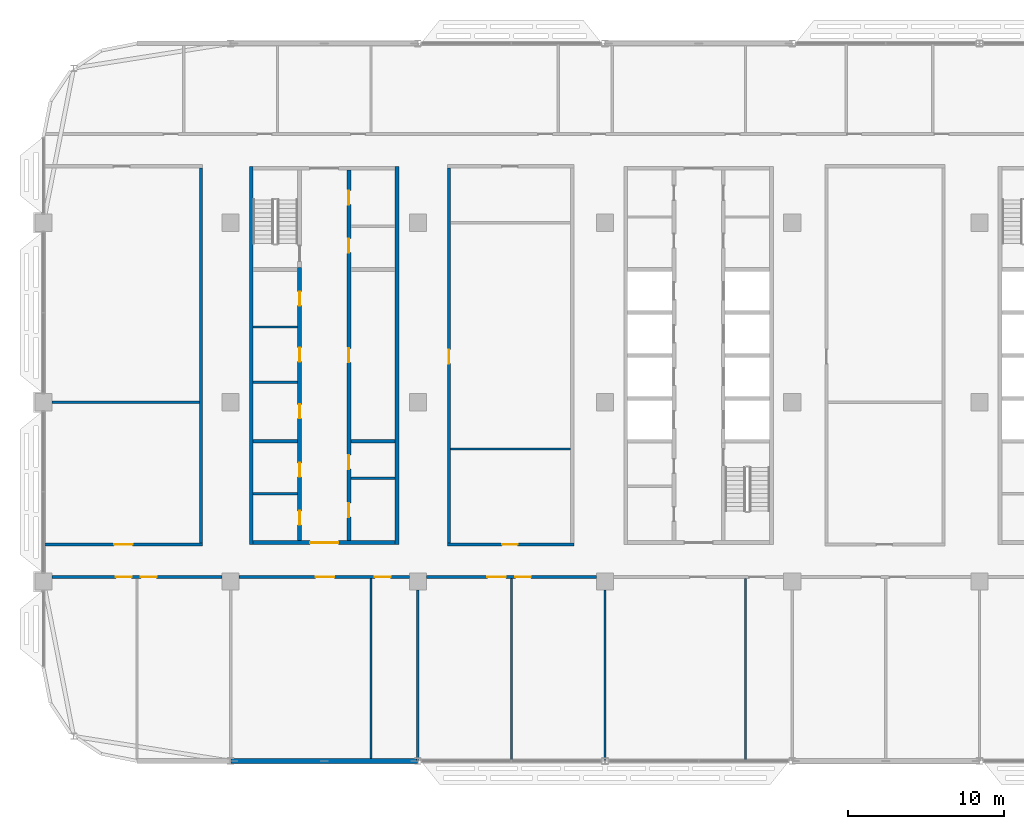
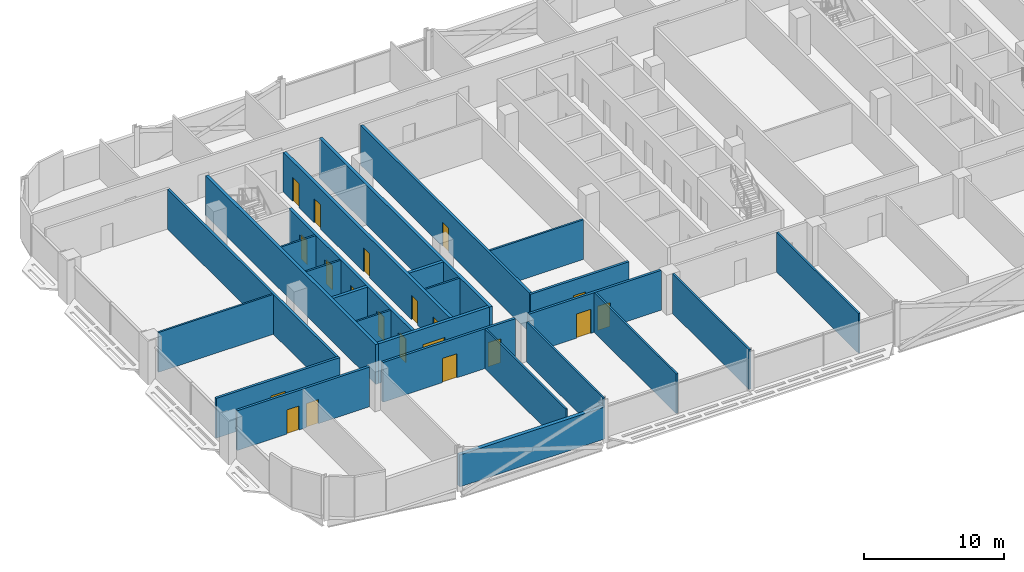
# One storey, part 13 of 29: 26 walls, 20 doors, 20 openings.
"""IFC4 building model written with IfcOpenShell, lengths in metres."""

import ifcopenshell
import ifcopenshell.guid

model = None  # the IFC model being written
_history = None  # IfcOwnerHistory: only IFC2X3 demands one
_inside = {}  # id of a spatial element -> (the spatial element, [elements in it])
_under = {}  # id of a project, library or spatial element -> (it, [spatial elements below it])
_declared = {}  # id of a project -> (the project, [libraries it declares])
_typed = {}  # id of a type object -> (the type object, [elements of that type])
_made_of = {}  # id of a material, layer set ... -> (it, [elements and type objects made of it])


def new_model(schema):
    """Start an empty IFC model of exactly this schema.

    Asked for "IFC4X3", IfcOpenShell would pick the latest addendum, in which some entities
    have other attributes; the version numbers below select the first issue.
    IFC2X3 requires an IfcOwnerHistory on every rooted entity: one is made here for all.
    """
    global model, _history
    if schema == "IFC4X3":
        model = ifcopenshell.file(schema_version=(4, 3, 0, 0))
    else:
        model = ifcopenshell.file(schema=schema)
    _inside.clear()
    _under.clear()
    _declared.clear()
    _typed.clear()
    _made_of.clear()
    _history = None
    if model.schema == "IFC2X3":
        org = make("IfcOrganization", Name="unknown")
        user = make(
            "IfcPersonAndOrganization",
            ThePerson=make("IfcPerson", FamilyName="unknown"),
            TheOrganization=org,
        )
        app = make(
            "IfcApplication",
            ApplicationDeveloper=org,
            Version="unknown",
            ApplicationFullName="unknown",
            ApplicationIdentifier="unknown",
        )
        _history = make(
            "IfcOwnerHistory",
            OwningUser=user,
            OwningApplication=app,
            ChangeAction="ADDED",
            CreationDate=0,
        )
    return model


def make(cls, **values):
    """One entity of the class cls with the attributes given. An attribute that is None is left unset."""
    return model.create_entity(
        cls, **{name: value for name, value in values.items() if value is not None}
    )


def rooted(cls, **values):
    """An entity with a GlobalId (a new one), such as an element, a storey or a relation."""
    return make(cls, GlobalId=ifcopenshell.guid.new(), OwnerHistory=_history, **values)


def si_unit(unit_type, name, prefix=None):
    """IfcSIUnit, for example si_unit("LENGTHUNIT", "METRE", prefix="MILLI")."""
    return make("IfcSIUnit", UnitType=unit_type, Prefix=prefix, Name=name)


def assignment(units):
    """IfcUnitAssignment: the units of a project."""
    return None if units is None else make("IfcUnitAssignment", Units=units)


def point(xyz):
    """IfcCartesianPoint."""
    return None if xyz is None else make("IfcCartesianPoint", Coordinates=xyz)


def direction(xyz):
    """IfcDirection."""
    return None if xyz is None else make("IfcDirection", DirectionRatios=xyz)


def frame(location, z_axis=None, x_axis=None):
    """IfcAxis2Placement3D, a coordinate frame: its origin and axes. An axis left out is left unset."""
    return make(
        "IfcAxis2Placement3D",
        Location=point(location),
        Axis=direction(z_axis),
        RefDirection=direction(x_axis),
    )


def frame_2d(location, x_axis=None):
    """IfcAxis2Placement2D, a coordinate frame in the plane: its origin and x axis."""
    return make(
        "IfcAxis2Placement2D", Location=point(location), RefDirection=direction(x_axis)
    )


def origin():
    """The frame at (0, 0, 0) with its axes left unset."""
    return frame((0.0, 0.0, 0.0))


def place(relative_to, where):
    """IfcLocalPlacement: puts the frame where relative to a parent placement (None: the world)."""
    return make(
        "IfcLocalPlacement", PlacementRelTo=relative_to, RelativePlacement=where
    )


def context(
    kind, dimensions, precision=None, world=None, true_north=None, identifier=None
):
    """IfcGeometricRepresentationContext, for example the 3D "Model" context."""
    return make(
        "IfcGeometricRepresentationContext",
        ContextIdentifier=identifier,
        ContextType=kind,
        CoordinateSpaceDimension=dimensions,
        Precision=precision,
        WorldCoordinateSystem=world,
        TrueNorth=true_north,
    )


def subcontext(parent, identifier, kind, view, scale=None):
    """IfcGeometricRepresentationSubContext, for example "Body" below "Model"."""
    return make(
        "IfcGeometricRepresentationSubContext",
        ContextIdentifier=identifier,
        ContextType=kind,
        ParentContext=parent,
        TargetScale=scale,
        TargetView=view,
    )


def project(units=None, contexts=None):
    """IfcProject with its units and contexts."""
    return rooted(
        "IfcProject",
        Name="project",
        RepresentationContexts=contexts,
        UnitsInContext=assignment(units),
    )


def spatial(cls, under=None, at=None, **own):
    """A site, building, storey or space (cls), placed at a placement, below another one or the project."""
    s = rooted(cls, ObjectPlacement=at, **own)
    if under is not None:
        _under.setdefault(under.id(), (under, []))[1].append(s)
    return s


def profile(cls, at=None, kind="AREA", **sizes):
    """A parametric profile (cls). Its sizes go by their IFC names, for example OverallWidth=200.0."""
    return make(cls, ProfileType=kind, Position=at, **sizes)


def rectangle(**sizes):
    """IfcRectangleProfileDef."""
    return profile("IfcRectangleProfileDef", **sizes)


def extrude(swept, where, along, depth):
    """IfcExtrudedAreaSolid: the profile swept, set in the frame where, extruded along a direction by depth."""
    return make(
        "IfcExtrudedAreaSolid",
        SweptArea=swept,
        Position=where,
        ExtrudedDirection=direction(along),
        Depth=depth,
    )


def shape(context_of_items, identifier, shape_type, items):
    """IfcShapeRepresentation: the items that make up one representation, for example the "Body"."""
    return make(
        "IfcShapeRepresentation",
        ContextOfItems=context_of_items,
        RepresentationIdentifier=identifier,
        RepresentationType=shape_type,
        Items=items,
    )


def material(Name=None, Category=None):
    """IfcMaterial."""
    return make("IfcMaterial", Name=Name, Category=Category)


def layer(
    of_material, thickness, ventilated=None, Name=None, Category=None, Priority=None
):
    """IfcMaterialLayer: one layer of a wall or slab, of a material (None: an air gap)."""
    return make(
        "IfcMaterialLayer",
        Material=of_material,
        LayerThickness=thickness,
        IsVentilated=ventilated,
        Name=Name,
        Category=Category,
        Priority=Priority,
    )


def layer_set(layers, Name=None):
    """IfcMaterialLayerSet."""
    return make("IfcMaterialLayerSet", MaterialLayers=layers, LayerSetName=Name)


def made_of(thing, what):
    """Note that an element or type object is made of a material, layer set ...; save() writes the relation."""
    if what is not None:
        _made_of.setdefault(what.id(), (what, []))[1].append(thing)
    return thing


def type_object(cls, material=None, **own):
    """A type object (cls), such as IfcWallType, which elements share."""
    return made_of(rooted(cls, **own), material)


def element(
    cls,
    number,
    at=None,
    inside=None,
    cuts=None,
    type_object=None,
    material=None,
    context=None,
    identifier="Body",
    shape_type=None,
    held_by="IfcProductDefinitionShape",
    body=None,
    shapes=None,
    **own,
):
    """One element of the class cls, such as IfcWall. Its Tag is "e" and its number.

    at: its placement. inside: the storey or other place that contains it. cuts: it is an
    opening in that element (IfcRelVoidsElement). A single representation is given by context,
    identifier, shape_type and body (its items); several are given by shapes. held_by: the class
    of the entity that holds the representations. save() writes the other relations.
    """
    e = rooted(cls, Tag="e%d" % number, ObjectPlacement=at, **own)
    if body is not None:
        shapes = [shape(context, identifier, shape_type, body)]
    if shapes is not None:
        e.Representation = make(held_by, Representations=shapes)
    if inside is not None:
        _inside.setdefault(inside.id(), (inside, []))[1].append(e)
    if cuts is not None:
        rooted(
            "IfcRelVoidsElement", RelatingBuildingElement=cuts, RelatedOpeningElement=e
        )
    if type_object is not None:
        _typed.setdefault(type_object.id(), (type_object, []))[1].append(e)
    return made_of(e, material)


def fill(opening, filler):
    """IfcRelFillsElement: the door or window that sits in an opening."""
    return rooted(
        "IfcRelFillsElement",
        RelatingOpeningElement=opening,
        RelatedBuildingElement=filler,
    )


def aggregate(whole, parts):
    """IfcRelAggregates: a whole, such as a stair, and the parts it consists of."""
    return rooted("IfcRelAggregates", RelatingObject=whole, RelatedObjects=parts)


def save(model, path):
    """Write the relations noted so far, then the file.

    IfcRelAggregates (storeys below a building ...), IfcRelContainedInSpatialStructure (elements
    in a storey), IfcRelDefinesByType, IfcRelAssociatesMaterial and IfcRelDeclares: one each for
    every whole, place, type object, material and project.
    """
    for whole, parts in _under.values():
        aggregate(whole, parts)
    for where, things in _inside.values():
        rooted(
            "IfcRelContainedInSpatialStructure",
            RelatedElements=things,
            RelatingStructure=where,
        )
    for kind, things in _typed.values():
        rooted("IfcRelDefinesByType", RelatedObjects=things, RelatingType=kind)
    for what, things in _made_of.values():
        rooted("IfcRelAssociatesMaterial", RelatedObjects=things, RelatingMaterial=what)
    for by, libraries in _declared.values():
        rooted("IfcRelDeclares", RelatingContext=by, RelatedDefinitions=libraries)
    model.write(path)


model = new_model("IFC4")

# Units and contexts
model_context = context("Model", 3, precision=1e-05, world=origin(), true_north=direction((0.0, 1.0)))
body_context = subcontext(model_context, "Body", "Model", "MODEL_VIEW")
ifc_project = project(units=[si_unit("LENGTHUNIT", "METRE"), si_unit("AREAUNIT", "SQUARE_METRE"), si_unit("VOLUMEUNIT", "CUBIC_METRE"), si_unit("PLANEANGLEUNIT", "RADIAN"), si_unit("MASSUNIT", "GRAM", prefix="KILO")], contexts=[model_context])

# Site, building, storey
site_placement = place(None, origin())
site = spatial("IfcSite", under=ifc_project, at=site_placement, CompositionType="ELEMENT")
building_placement = place(site_placement, origin())
building = spatial("IfcBuilding", under=site, at=building_placement, Name="Mahtab Terrace Research Tower", CompositionType="ELEMENT")
storey_placement = place(building_placement, frame((0.0, 0.0, 197.699951171875)))
storey = spatial("IfcBuildingStorey", under=building, at=storey_placement, Name="L47", CompositionType="ELEMENT", Elevation=197.699951171875)

# Walls
ifc_material_1 = material(Name="Gypsum board partition")
ifc_layer_1 = layer(ifc_material_1, 0.14990234375)
ifc_layer_set_1 = layer_set([ifc_layer_1], Name="Core partition 150")
wall_type_1 = type_object("IfcWallType", Name="Core partition 150", PredefinedType="PARTITIONING", material=ifc_layer_set_1)
for number, where, z_axis, x_axis, name in (
    (1, (-28.550048828125, 1.280029296875, 0.0), (0.0, 0.0, 1.0), (1.0, 0.0, 0.0), "Core wall A pWL-172"),
    (2, (-28.550048828125, 4.827392578125, 0.0), (0.0, 0.0, 1.0), (1.0, 0.0, 0.0), "Core wall A pWL183"),
    (3, (-28.550048828125, -5.875, 0.0), (0.0, 0.0, 1.0), (1.0, 0.0, 0.0), "Core wall A pWS-888"),
    (4, (-22.300048828125, -4.875, 0.0), (0.0, 0.0, 1.0), (1.0, 0.0, 0.0), "Core wall A pES-788"),
):
    element("IfcWall", number, at=place(storey_placement, frame(where, z_axis=z_axis, x_axis=x_axis)), inside=storey, type_object=wall_type_1, Name=name, PredefinedType="PARTITIONING", context=body_context, shape_type="SweptSolid", body=[
        extrude(rectangle(XDim=2.85009765625, YDim=0.14990234375, at=frame_2d((1.425048828125, 0.0))), origin(), (0.0, 0.0, 1.0), 3.4599609375),
    ])
ifc_material_2 = material(Name="Concrete C70/85", Category="concrete")
ifc_layer_2 = layer(ifc_material_2, 0.25)
ifc_layer_set_2 = layer_set([ifc_layer_2], Name="Core wall 250")
wall_type_2 = type_object("IfcWallType", Name="Core wall 250", PredefinedType="SOLIDWALL", material=ifc_layer_set_2)
for number, where, z_axis, x_axis, name in (
    (5, (-28.675048828125, 15.125, 0.0), (0.0, 0.0, 1.0), (0.0, -1.0, 0.0), "Core wall A outerW"),
    (6, (-19.324951171875, -9.125, 0.0), (0.0, 0.0, 1.0), (0.0, 1.0, 0.0), "Core wall A outerE"),
):
    element("IfcWall", number, at=place(storey_placement, frame(where, z_axis=z_axis, x_axis=x_axis)), inside=storey, type_object=wall_type_2, Name=name, PredefinedType="SOLIDWALL", context=body_context, shape_type="SweptSolid", body=[
        extrude(rectangle(XDim=24.25, YDim=0.25, at=frame_2d((12.125, 0.0))), origin(), (0.0, 0.0, 1.0), 3.4599609375),
    ])

# Wall, opening, door
wall_1_placement = place(storey_placement, frame((-19.449951171875, -9.0, 0.0), z_axis=(0.0, 0.0, 1.0), x_axis=(-1.0, 0.0, 0.0)))
wall_1 = element("IfcWall", 7, at=wall_1_placement, inside=storey, type_object=wall_type_2, Name="Core wall A endS", PredefinedType="SOLIDWALL", context=body_context, shape_type="SweptSolid", body=[
    extrude(rectangle(XDim=9.10009765625, YDim=0.25, at=frame_2d((4.550048828125, 0.0))), origin(), (0.0, 0.0, 1.0), 3.4599609375),
])
opening_1_placement = place(wall_1_placement, frame((3.64990234375, 0.0, 0.0)))
opening_1 = element("IfcOpeningElement", 8, at=opening_1_placement, cuts=wall_1, Name="Opening A-S1", PredefinedType="OPENING", context=body_context, shape_type="SweptSolid", body=[
    extrude(rectangle(XDim=1.800048828125, YDim=2.10009765625, at=frame_2d((0.89990234375, 1.050048828125))), frame((0.0, 0.135009765625, 0.0), z_axis=(0.0, -1.0, 0.0), x_axis=(1.0, 0.0, 0.0)), (0.0, 0.0, 1.0), 0.27001953125),
])
ifc_material_3 = material(Name="Steel fire door", Category="steel")
door_type_1 = type_object("IfcDoorType", Name="Lobby double door 1800x2100 1 HR", OperationType="DOUBLE_DOOR_SINGLE_SWING", PredefinedType="DOOR", material=ifc_material_3)
door_1_placement = place(opening_1_placement, origin())
door_1 = element("IfcDoor", 9, at=door_1_placement, inside=storey, type_object=door_type_1, Name="Core entrance door A S", OperationType="DOUBLE_DOOR_SINGLE_SWING", OverallHeight=2.10009765625, OverallWidth=1.800048828125, PredefinedType="DOOR", context=body_context, shape_type="SweptSolid", body=[
    extrude(rectangle(XDim=1.800048828125, YDim=2.10009765625, at=frame_2d((0.89990234375, 1.050048828125))), frame((0.0, 0.02490234375, 0.0), z_axis=(0.0, -1.0, 0.0), x_axis=(1.0, 0.0, 0.0)), (0.0, 0.0, 1.0), 0.050048828125),
])
fill(opening_1, door_1)

# Wall, openings, doors
wall_2_placement = place(storey_placement, frame((-25.574951171875, -8.875, 0.0), z_axis=(0.0, 0.0, 1.0), x_axis=(0.0, 1.0, 0.0)))
wall_2 = element("IfcWall", 10, at=wall_2_placement, inside=storey, type_object=wall_type_2, Name="Core wall A innerWSL", PredefinedType="SOLIDWALL", context=body_context, shape_type="SweptSolid", body=[
    extrude(rectangle(XDim=17.5, YDim=0.25, at=frame_2d((8.75, 0.0))), origin(), (0.0, 0.0, 1.0), 3.4599609375),
])
opening_2_placement = place(wall_2_placement, frame((7.840087890625, 0.0, 0.0)))
opening_2 = element("IfcOpeningElement", 11, at=opening_2_placement, cuts=wall_2, Name="Opening A-R1", PredefinedType="OPENING", context=body_context, shape_type="SweptSolid", body=[
    extrude(rectangle(XDim=0.89990234375, YDim=2.10009765625, at=frame_2d((0.449951171875, 1.050048828125))), frame((0.0, 0.135009765625, 0.0), z_axis=(0.0, -1.0, 0.0), x_axis=(1.0, 0.0, 0.0)), (0.0, 0.0, 1.0), 0.27001953125),
])
opening_3_placement = place(wall_2_placement, frame((11.478759765625, 0.0, 0.0)))
opening_3 = element("IfcOpeningElement", 12, at=opening_3_placement, cuts=wall_2, Name="Opening A-R2", PredefinedType="OPENING", context=body_context, shape_type="SweptSolid", body=[
    extrude(rectangle(XDim=0.89990234375, YDim=2.10009765625, at=frame_2d((0.449951171875, 1.050048828125))), frame((0.0, 0.135009765625, 0.0), z_axis=(0.0, -1.0, 0.0), x_axis=(1.0, 0.0, 0.0)), (0.0, 0.0, 1.0), 0.27001953125),
])
opening_4_placement = place(wall_2_placement, frame((15.063720703125, 0.0, 0.0)))
opening_4 = element("IfcOpeningElement", 13, at=opening_4_placement, cuts=wall_2, Name="Opening A-R3", PredefinedType="OPENING", context=body_context, shape_type="SweptSolid", body=[
    extrude(rectangle(XDim=0.89990234375, YDim=2.10009765625, at=frame_2d((0.449951171875, 1.050048828125))), frame((0.0, 0.135009765625, 0.0), z_axis=(0.0, -1.0, 0.0), x_axis=(1.0, 0.0, 0.0)), (0.0, 0.0, 1.0), 0.27001953125),
])
opening_5_placement = place(wall_2_placement, frame((1.012451171875, 0.0, 0.0)))
opening_5 = element("IfcOpeningElement", 14, at=opening_5_placement, cuts=wall_2, Name="Opening A-R5", PredefinedType="OPENING", context=body_context, shape_type="SweptSolid", body=[
    extrude(rectangle(XDim=0.89990234375, YDim=2.10009765625, at=frame_2d((0.449951171875, 1.050048828125))), frame((0.0, 0.135009765625, 0.0), z_axis=(0.0, -1.0, 0.0), x_axis=(1.0, 0.0, 0.0)), (0.0, 0.0, 1.0), 0.27001953125),
])
opening_6_placement = place(wall_2_placement, frame((4.08740234375, 0.0, 0.0)))
opening_6 = element("IfcOpeningElement", 15, at=opening_6_placement, cuts=wall_2, Name="Opening A-R6", PredefinedType="OPENING", context=body_context, shape_type="SweptSolid", body=[
    extrude(rectangle(XDim=0.89990234375, YDim=2.10009765625, at=frame_2d((0.449951171875, 1.050048828125))), frame((0.0, 0.135009765625, 0.0), z_axis=(0.0, -1.0, 0.0), x_axis=(1.0, 0.0, 0.0)), (0.0, 0.0, 1.0), 0.27001953125),
])
door_type_2 = type_object("IfcDoorType", Name="Room door 900x2100 1 HR", OperationType="NOTDEFINED", PredefinedType="DOOR", material=ifc_material_3)
door_2_placement = place(opening_2_placement, origin())
door_2 = element("IfcDoor", 16, at=door_2_placement, inside=storey, type_object=door_type_2, Name="Battery room door", OperationType="SINGLE_SWING_LEFT", OverallHeight=2.10009765625, OverallWidth=0.89990234375, PredefinedType="DOOR", context=body_context, shape_type="SweptSolid", body=[
    extrude(rectangle(XDim=0.89990234375, YDim=2.10009765625, at=frame_2d((0.449951171875, 1.050048828125))), frame((0.0, 0.02490234375, 0.0), z_axis=(0.0, -1.0, 0.0), x_axis=(1.0, 0.0, 0.0)), (0.0, 0.0, 1.0), 0.050048828125),
])
fill(opening_2, door_2)
door_3_placement = place(opening_3_placement, origin())
door_3 = element("IfcDoor", 17, at=door_3_placement, inside=storey, type_object=door_type_2, Name="Cooling plant room door", OperationType="SINGLE_SWING_RIGHT", OverallHeight=2.10009765625, OverallWidth=0.89990234375, PredefinedType="DOOR", context=body_context, shape_type="SweptSolid", body=[
    extrude(rectangle(XDim=0.89990234375, YDim=2.10009765625, at=frame_2d((0.449951171875, 1.050048828125))), frame((0.0, 0.02490234375, 0.0), z_axis=(0.0, -1.0, 0.0), x_axis=(1.0, 0.0, 0.0)), (0.0, 0.0, 1.0), 0.050048828125),
])
fill(opening_3, door_3)
door_4_placement = place(opening_4_placement, origin())
door_4 = element("IfcDoor", 18, at=door_4_placement, inside=storey, type_object=door_type_2, Name="Spare parts store door", OperationType="SINGLE_SWING_LEFT", OverallHeight=2.10009765625, OverallWidth=0.89990234375, PredefinedType="DOOR", context=body_context, shape_type="SweptSolid", body=[
    extrude(rectangle(XDim=0.89990234375, YDim=2.10009765625, at=frame_2d((0.449951171875, 1.050048828125))), frame((0.0, 0.02490234375, 0.0), z_axis=(0.0, -1.0, 0.0), x_axis=(1.0, 0.0, 0.0)), (0.0, 0.0, 1.0), 0.050048828125),
])
fill(opening_4, door_4)
door_5_placement = place(opening_5_placement, origin())
door_5 = element("IfcDoor", 19, at=door_5_placement, inside=storey, type_object=door_type_2, Name="Staff WC door", OperationType="SINGLE_SWING_LEFT", OverallHeight=2.10009765625, OverallWidth=0.89990234375, PredefinedType="DOOR", context=body_context, shape_type="SweptSolid", body=[
    extrude(rectangle(XDim=0.89990234375, YDim=2.10009765625, at=frame_2d((0.449951171875, 1.050048828125))), frame((0.0, 0.02490234375, 0.0), z_axis=(0.0, -1.0, 0.0), x_axis=(1.0, 0.0, 0.0)), (0.0, 0.0, 1.0), 0.050048828125),
])
fill(opening_5, door_5)
door_6_placement = place(opening_6_placement, origin())
door_6 = element("IfcDoor", 20, at=door_6_placement, inside=storey, type_object=door_type_2, Name="Accessible WC door", OperationType="SINGLE_SWING_RIGHT", OverallHeight=2.10009765625, OverallWidth=0.89990234375, PredefinedType="DOOR", context=body_context, shape_type="SweptSolid", body=[
    extrude(rectangle(XDim=0.89990234375, YDim=2.10009765625, at=frame_2d((0.449951171875, 1.050048828125))), frame((0.0, 0.02490234375, 0.0), z_axis=(0.0, -1.0, 0.0), x_axis=(1.0, 0.0, 0.0)), (0.0, 0.0, 1.0), 0.050048828125),
])
fill(opening_6, door_6)

wall_3_placement = place(storey_placement, frame((-22.425048828125, 14.875, 0.0), z_axis=(0.0, 0.0, 1.0), x_axis=(0.0, -1.0, 0.0)))
wall_3 = element("IfcWall", 21, at=wall_3_placement, inside=storey, type_object=wall_type_2, Name="Core wall A innerESLN", PredefinedType="SOLIDWALL", context=body_context, shape_type="SweptSolid", body=[
    extrude(rectangle(XDim=23.75, YDim=0.25, at=frame_2d((11.875, 0.0))), origin(), (0.0, 0.0, 1.0), 3.4599609375),
])
opening_7_placement = place(wall_3_placement, frame((11.425048828125, 0.0, 0.0)))
opening_7 = element("IfcOpeningElement", 22, at=opening_7_placement, cuts=wall_3, Name="Opening A-R4", PredefinedType="OPENING", context=body_context, shape_type="SweptSolid", body=[
    extrude(rectangle(XDim=0.89990234375, YDim=2.10009765625, at=frame_2d((0.449951171875, 1.050048828125))), frame((0.0, 0.135009765625, 0.0), z_axis=(0.0, -1.0, 0.0), x_axis=(1.0, 0.0, 0.0)), (0.0, 0.0, 1.0), 0.27001953125),
])
opening_8_placement = place(wall_3_placement, frame((21.33740234375, 0.0, 0.0)))
opening_8 = element("IfcOpeningElement", 23, at=opening_8_placement, cuts=wall_3, Name="Opening A-R7", PredefinedType="OPENING", context=body_context, shape_type="SweptSolid", body=[
    extrude(rectangle(XDim=0.89990234375, YDim=2.10009765625, at=frame_2d((0.449951171875, 1.050048828125))), frame((0.0, 0.135009765625, 0.0), z_axis=(0.0, -1.0, 0.0), x_axis=(1.0, 0.0, 0.0)), (0.0, 0.0, 1.0), 0.27001953125),
])
opening_9_placement = place(wall_3_placement, frame((18.262451171875, 0.0, 0.0)))
opening_9 = element("IfcOpeningElement", 24, at=opening_9_placement, cuts=wall_3, Name="Opening A-R8", PredefinedType="OPENING", context=body_context, shape_type="SweptSolid", body=[
    extrude(rectangle(XDim=0.89990234375, YDim=2.10009765625, at=frame_2d((0.449951171875, 1.050048828125))), frame((0.0, 0.135009765625, 0.0), z_axis=(0.0, -1.0, 0.0), x_axis=(1.0, 0.0, 0.0)), (0.0, 0.0, 1.0), 0.27001953125),
])
opening_10_placement = place(wall_3_placement, frame((4.387451171875, 0.0, 0.0)))
opening_10 = element("IfcOpeningElement", 25, at=opening_10_placement, cuts=wall_3, Name="Opening A-R9", PredefinedType="OPENING", context=body_context, shape_type="SweptSolid", body=[
    extrude(rectangle(XDim=0.89990234375, YDim=2.10009765625, at=frame_2d((0.449951171875, 1.050048828125))), frame((0.0, 0.135009765625, 0.0), z_axis=(0.0, -1.0, 0.0), x_axis=(1.0, 0.0, 0.0)), (0.0, 0.0, 1.0), 0.27001953125),
])
opening_11_placement = place(wall_3_placement, frame((1.3125, 0.0, 0.0)))
opening_11 = element("IfcOpeningElement", 26, at=opening_11_placement, cuts=wall_3, Name="Opening A-R10", PredefinedType="OPENING", context=body_context, shape_type="SweptSolid", body=[
    extrude(rectangle(XDim=0.89990234375, YDim=2.10009765625, at=frame_2d((0.449951171875, 1.050048828125))), frame((0.0, 0.135009765625, 0.0), z_axis=(0.0, -1.0, 0.0), x_axis=(1.0, 0.0, 0.0)), (0.0, 0.0, 1.0), 0.27001953125),
])
door_7_placement = place(opening_7_placement, origin())
door_7 = element("IfcDoor", 27, at=door_7_placement, inside=storey, type_object=door_type_2, Name="Plant room door", OperationType="SINGLE_SWING_RIGHT", OverallHeight=2.10009765625, OverallWidth=0.89990234375, PredefinedType="DOOR", context=body_context, shape_type="SweptSolid", body=[
    extrude(rectangle(XDim=0.89990234375, YDim=2.10009765625, at=frame_2d((0.449951171875, 1.050048828125))), frame((0.0, 0.02490234375, 0.0), z_axis=(0.0, -1.0, 0.0), x_axis=(1.0, 0.0, 0.0)), (0.0, 0.0, 1.0), 0.050048828125),
])
fill(opening_7, door_7)
door_8_placement = place(opening_8_placement, origin())
door_8 = element("IfcDoor", 28, at=door_8_placement, inside=storey, type_object=door_type_2, Name="IT equipment room door", OperationType="SINGLE_SWING_LEFT", OverallHeight=2.10009765625, OverallWidth=0.89990234375, PredefinedType="DOOR", context=body_context, shape_type="SweptSolid", body=[
    extrude(rectangle(XDim=0.89990234375, YDim=2.10009765625, at=frame_2d((0.449951171875, 1.050048828125))), frame((0.0, 0.02490234375, 0.0), z_axis=(0.0, -1.0, 0.0), x_axis=(1.0, 0.0, 0.0)), (0.0, 0.0, 1.0), 0.050048828125),
])
fill(opening_8, door_8)
door_9_placement = place(opening_9_placement, origin())
door_9 = element("IfcDoor", 29, at=door_9_placement, inside=storey, type_object=door_type_2, Name="Electrical riser room door", OperationType="SINGLE_SWING_RIGHT", OverallHeight=2.10009765625, OverallWidth=0.89990234375, PredefinedType="DOOR", context=body_context, shape_type="SweptSolid", body=[
    extrude(rectangle(XDim=0.89990234375, YDim=2.10009765625, at=frame_2d((0.449951171875, 1.050048828125))), frame((0.0, 0.02490234375, 0.0), z_axis=(0.0, -1.0, 0.0), x_axis=(1.0, 0.0, 0.0)), (0.0, 0.0, 1.0), 0.050048828125),
])
fill(opening_9, door_9)
door_10_placement = place(opening_10_placement, origin())
door_10 = element("IfcDoor", 30, at=door_10_placement, inside=storey, type_object=door_type_2, Name="Mechanical riser room door", OperationType="SINGLE_SWING_LEFT", OverallHeight=2.10009765625, OverallWidth=0.89990234375, PredefinedType="DOOR", context=body_context, shape_type="SweptSolid", body=[
    extrude(rectangle(XDim=0.89990234375, YDim=2.10009765625, at=frame_2d((0.449951171875, 1.050048828125))), frame((0.0, 0.02490234375, 0.0), z_axis=(0.0, -1.0, 0.0), x_axis=(1.0, 0.0, 0.0)), (0.0, 0.0, 1.0), 0.050048828125),
])
fill(opening_10, door_10)
door_11_placement = place(opening_11_placement, origin())
door_11 = element("IfcDoor", 31, at=door_11_placement, inside=storey, type_object=door_type_2, Name="Chemical store door", OperationType="SINGLE_SWING_RIGHT", OverallHeight=2.10009765625, OverallWidth=0.89990234375, PredefinedType="DOOR", context=body_context, shape_type="SweptSolid", body=[
    extrude(rectangle(XDim=0.89990234375, YDim=2.10009765625, at=frame_2d((0.449951171875, 1.050048828125))), frame((0.0, 0.02490234375, 0.0), z_axis=(0.0, -1.0, 0.0), x_axis=(1.0, 0.0, 0.0)), (0.0, 0.0, 1.0), 0.050048828125),
])
fill(opening_11, door_11)

# Walls
for number, where, z_axis, x_axis, name in (
    (32, (-28.550048828125, -2.5, 0.0), (0.0, 0.0, 1.0), (1.0, 0.0, 0.0), "Core wall A divW0"),
    (33, (-22.300048828125, -2.5, 0.0), (0.0, 0.0, 1.0), (1.0, 0.0, 0.0), "Core wall A divE0"),
):
    element("IfcWall", number, at=place(storey_placement, frame(where, z_axis=z_axis, x_axis=x_axis)), inside=storey, type_object=wall_type_2, Name=name, PredefinedType="SOLIDWALL", context=body_context, shape_type="SweptSolid", body=[
        extrude(rectangle(XDim=2.85009765625, YDim=0.25, at=frame_2d((1.425048828125, 0.0))), origin(), (0.0, 0.0, 1.0), 3.4599609375),
    ])
ifc_material_4 = material(Name="Black aluminium cladding panel", Category="aluminium")
ifc_layer_3 = layer(ifc_material_4, 0.300048828125)
ifc_layer_set_3 = layer_set([ifc_layer_3], Name="Opaque facade wall 300")
wall_type_3 = type_object("IfcWallType", Name="Opaque facade wall 300", PredefinedType="NOTDEFINED", material=ifc_layer_set_3)
wall_4_placement = place(storey_placement, frame((-29.987548828125, -23.0, 0.0), z_axis=(0.0, 0.0, 1.0), x_axis=(1.0, 0.0, 0.0)))
element("IfcWall", 34, at=wall_4_placement, inside=storey, type_object=wall_type_3, Name="Opaque facade wall L47 S24", PredefinedType="NOTDEFINED", context=body_context, shape_type="SweptSolid", body=[
    extrude(rectangle(XDim=11.97509765625, YDim=0.300048828125, at=frame_2d((5.987548828125, 0.0))), origin(), (0.0, 0.0, 1.0), 2.78173828125),
])

# Wall, openings, doors
ifc_material_5 = material(Name="Gypsum board corridor wall on steel studs", Category="steel")
ifc_layer_4 = layer(ifc_material_5, 0.199951171875)
ifc_layer_set_4 = layer_set([ifc_layer_4], Name="WALL CORRIDOR 200")
wall_type_4 = type_object("IfcWallType", Name="WALL CORRIDOR 200", PredefinedType="PARTITIONING", material=ifc_layer_set_4)
wall_5_placement = place(storey_placement, frame((-41.449951171875, -11.199951171875, 0.0), z_axis=(0.0, 0.0, 1.0), x_axis=(1.0, 0.0, 0.0)))
wall_5 = element("IfcWall", 35, at=wall_5_placement, inside=storey, type_object=wall_type_4, Name="L47-W001", PredefinedType="PARTITIONING", context=body_context, shape_type="SweptSolid", body=[
    extrude(rectangle(XDim=10.89990234375, YDim=0.199951171875, at=frame_2d((5.449951171875, 0.0))), origin(), (0.0, 0.0, 1.0), 3.4599609375),
])
opening_12_placement = place(wall_5_placement, frame((4.10009765625, 0.0, 0.0)))
opening_12 = element("IfcOpeningElement", 36, at=opening_12_placement, cuts=wall_5, Name="Opening L47-101", PredefinedType="OPENING", context=body_context, shape_type="SweptSolid", body=[
    extrude(rectangle(XDim=1.0, YDim=2.10009765625, at=frame_2d((0.5, 1.050048828125))), frame((0.0, 0.10986328125, 0.0), z_axis=(0.0, -1.0, 0.0), x_axis=(1.0, 0.0, 0.0)), (0.0, 0.0, 1.0), 0.219970703125),
])
opening_13_placement = place(wall_5_placement, frame((5.699951171875, 0.0, 0.0)))
opening_13 = element("IfcOpeningElement", 37, at=opening_13_placement, cuts=wall_5, Name="Opening L47-102", PredefinedType="OPENING", context=body_context, shape_type="SweptSolid", body=[
    extrude(rectangle(XDim=1.0, YDim=2.10009765625, at=frame_2d((0.5, 1.050048828125))), frame((0.0, 0.10986328125, 0.0), z_axis=(0.0, -1.0, 0.0), x_axis=(1.0, 0.0, 0.0)), (0.0, 0.0, 1.0), 0.219970703125),
])
ifc_material_6 = material(Name="Timber door leaf in steel frame", Category="steel")
door_type_3 = type_object("IfcDoorType", Name="DOOR 1000X2100 FD30S", OperationType="SINGLE_SWING_LEFT", PredefinedType="DOOR", material=ifc_material_6)
door_12_placement = place(opening_12_placement, origin())
door_12 = element("IfcDoor", 38, at=door_12_placement, inside=storey, type_object=door_type_3, Name="Door L47-101", OperationType="SINGLE_SWING_RIGHT", OverallHeight=2.10009765625, OverallWidth=1.0, PredefinedType="DOOR", context=body_context, shape_type="SweptSolid", body=[
    extrude(rectangle(XDim=1.0, YDim=2.10009765625, at=frame_2d((0.5, 1.050048828125))), frame((0.0, 0.02490234375, 0.0), z_axis=(0.0, -1.0, 0.0), x_axis=(1.0, 0.0, 0.0)), (0.0, 0.0, 1.0), 0.050048828125),
])
fill(opening_12, door_12)
door_13_placement = place(opening_13_placement, origin())
door_13 = element("IfcDoor", 39, at=door_13_placement, inside=storey, type_object=door_type_3, Name="Door L47-102", OperationType="SINGLE_SWING_LEFT", OverallHeight=2.10009765625, OverallWidth=1.0, PredefinedType="DOOR", context=body_context, shape_type="SweptSolid", body=[
    extrude(rectangle(XDim=1.0, YDim=2.10009765625, at=frame_2d((0.5, 1.050048828125))), frame((0.0, 0.02490234375, 0.0), z_axis=(0.0, -1.0, 0.0), x_axis=(1.0, 0.0, 0.0)), (0.0, 0.0, 1.0), 0.050048828125),
])
fill(opening_13, door_13)

wall_6_placement = place(storey_placement, frame((-29.449951171875, -11.199951171875, 0.0), z_axis=(0.0, 0.0, 1.0), x_axis=(1.0, 0.0, 0.0)))
wall_6 = element("IfcWall", 40, at=wall_6_placement, inside=storey, type_object=wall_type_4, Name="L47-W002", PredefinedType="PARTITIONING", context=body_context, shape_type="SweptSolid", body=[
    extrude(rectangle(XDim=10.89990234375, YDim=0.199951171875, at=frame_2d((5.449951171875, 0.0))), origin(), (0.0, 0.0, 1.0), 3.4599609375),
])
opening_14_placement = place(wall_6_placement, frame((4.89990234375, 0.0, 0.0)))
opening_14 = element("IfcOpeningElement", 41, at=opening_14_placement, cuts=wall_6, Name="Opening L47-103", PredefinedType="OPENING", context=body_context, shape_type="SweptSolid", body=[
    extrude(rectangle(XDim=1.199951171875, YDim=2.10009765625, at=frame_2d((0.60009765625, 1.050048828125))), frame((0.0, 0.10986328125, 0.0), z_axis=(0.0, -1.0, 0.0), x_axis=(1.0, 0.0, 0.0)), (0.0, 0.0, 1.0), 0.219970703125),
])
opening_15_placement = place(wall_6_placement, frame((8.699951171875, 0.0, 0.0)))
opening_15 = element("IfcOpeningElement", 42, at=opening_15_placement, cuts=wall_6, Name="Opening L47-104", PredefinedType="OPENING", context=body_context, shape_type="SweptSolid", body=[
    extrude(rectangle(XDim=1.0, YDim=2.10009765625, at=frame_2d((0.5, 1.050048828125))), frame((0.0, 0.10986328125, 0.0), z_axis=(0.0, -1.0, 0.0), x_axis=(1.0, 0.0, 0.0)), (0.0, 0.0, 1.0), 0.219970703125),
])
door_14_placement = place(opening_15_placement, origin())
door_14 = element("IfcDoor", 43, at=door_14_placement, inside=storey, type_object=door_type_3, Name="Door L47-104", OperationType="SINGLE_SWING_LEFT", OverallHeight=2.10009765625, OverallWidth=1.0, PredefinedType="DOOR", context=body_context, shape_type="SweptSolid", body=[
    extrude(rectangle(XDim=1.0, YDim=2.10009765625, at=frame_2d((0.5, 1.050048828125))), frame((0.0, 0.02490234375, 0.0), z_axis=(0.0, -1.0, 0.0), x_axis=(1.0, 0.0, 0.0)), (0.0, 0.0, 1.0), 0.050048828125),
])
fill(opening_15, door_14)
door_type_4 = type_object("IfcDoorType", Name="DOOR 1200X2100 FD30S", OperationType="SINGLE_SWING_LEFT", PredefinedType="DOOR", material=ifc_material_6)
door_15_placement = place(opening_14_placement, origin())
door_15 = element("IfcDoor", 44, at=door_15_placement, inside=storey, type_object=door_type_4, Name="Door L47-103", OperationType="SINGLE_SWING_LEFT", OverallHeight=2.10009765625, OverallWidth=1.199951171875, PredefinedType="DOOR", context=body_context, shape_type="SweptSolid", body=[
    extrude(rectangle(XDim=1.199951171875, YDim=2.10009765625, at=frame_2d((0.60009765625, 1.050048828125))), frame((0.0, 0.02490234375, 0.0), z_axis=(0.0, -1.0, 0.0), x_axis=(1.0, 0.0, 0.0)), (0.0, 0.0, 1.0), 0.050048828125),
])
fill(opening_14, door_15)

wall_7_placement = place(storey_placement, frame((-17.449951171875, -11.199951171875, 0.0), z_axis=(0.0, 0.0, 1.0), x_axis=(1.0, 0.0, 0.0)))
wall_7 = element("IfcWall", 45, at=wall_7_placement, inside=storey, type_object=wall_type_4, Name="L47-W003", PredefinedType="PARTITIONING", context=body_context, shape_type="SweptSolid", body=[
    extrude(rectangle(XDim=10.89990234375, YDim=0.199951171875, at=frame_2d((5.449951171875, 0.0))), origin(), (0.0, 0.0, 1.0), 3.4599609375),
])
opening_16_placement = place(wall_7_placement, frame((3.89990234375, 0.0, 0.0)))
opening_16 = element("IfcOpeningElement", 46, at=opening_16_placement, cuts=wall_7, Name="Opening L47-105", PredefinedType="OPENING", context=body_context, shape_type="SweptSolid", body=[
    extrude(rectangle(XDim=1.199951171875, YDim=2.10009765625, at=frame_2d((0.60009765625, 1.050048828125))), frame((0.0, 0.10986328125, 0.0), z_axis=(0.0, -1.0, 0.0), x_axis=(1.0, 0.0, 0.0)), (0.0, 0.0, 1.0), 0.219970703125),
])
opening_17_placement = place(wall_7_placement, frame((5.699951171875, 0.0, 0.0)))
opening_17 = element("IfcOpeningElement", 47, at=opening_17_placement, cuts=wall_7, Name="Opening L47-106", PredefinedType="OPENING", context=body_context, shape_type="SweptSolid", body=[
    extrude(rectangle(XDim=1.0, YDim=2.10009765625, at=frame_2d((0.5, 1.050048828125))), frame((0.0, 0.10986328125, 0.0), z_axis=(0.0, -1.0, 0.0), x_axis=(1.0, 0.0, 0.0)), (0.0, 0.0, 1.0), 0.219970703125),
])
door_16_placement = place(opening_17_placement, origin())
door_16 = element("IfcDoor", 48, at=door_16_placement, inside=storey, type_object=door_type_3, Name="Door L47-106", OperationType="SINGLE_SWING_LEFT", OverallHeight=2.10009765625, OverallWidth=1.0, PredefinedType="DOOR", context=body_context, shape_type="SweptSolid", body=[
    extrude(rectangle(XDim=1.0, YDim=2.10009765625, at=frame_2d((0.5, 1.050048828125))), frame((0.0, 0.02490234375, 0.0), z_axis=(0.0, -1.0, 0.0), x_axis=(1.0, 0.0, 0.0)), (0.0, 0.0, 1.0), 0.050048828125),
])
fill(opening_17, door_16)
door_17_placement = place(opening_16_placement, origin())
door_17 = element("IfcDoor", 49, at=door_17_placement, inside=storey, type_object=door_type_4, Name="Door L47-105", OperationType="SINGLE_SWING_RIGHT", OverallHeight=2.10009765625, OverallWidth=1.199951171875, PredefinedType="DOOR", context=body_context, shape_type="SweptSolid", body=[
    extrude(rectangle(XDim=1.199951171875, YDim=2.10009765625, at=frame_2d((0.60009765625, 1.050048828125))), frame((0.0, 0.02490234375, 0.0), z_axis=(0.0, -1.0, 0.0), x_axis=(1.0, 0.0, 0.0)), (0.0, 0.0, 1.0), 0.050048828125),
])
fill(opening_16, door_17)

# Wall, opening, door
wall_8_placement = place(storey_placement, frame((-41.97509765625, -9.125, 0.0), z_axis=(0.0, 0.0, 1.0), x_axis=(1.0, 0.0, 0.0)))
wall_8 = element("IfcWall", 50, at=wall_8_placement, inside=storey, type_object=wall_type_4, Name="L47-W009", PredefinedType="PARTITIONING", context=body_context, shape_type="SweptSolid", body=[
    extrude(rectangle(XDim=10.175048828125, YDim=0.199951171875, at=frame_2d((5.08740234375, 0.0))), origin(), (0.0, 0.0, 1.0), 3.4599609375),
])
opening_18_placement = place(wall_8_placement, frame((4.5, 0.0, 0.0)))
opening_18 = element("IfcOpeningElement", 51, at=opening_18_placement, cuts=wall_8, Name="Opening L47-118", PredefinedType="OPENING", context=body_context, shape_type="SweptSolid", body=[
    extrude(rectangle(XDim=1.199951171875, YDim=2.10009765625, at=frame_2d((0.60009765625, 1.050048828125))), frame((0.0, 0.10986328125, 0.0), z_axis=(0.0, -1.0, 0.0), x_axis=(1.0, 0.0, 0.0)), (0.0, 0.0, 1.0), 0.219970703125),
])
door_18_placement = place(opening_18_placement, origin())
door_18 = element("IfcDoor", 52, at=door_18_placement, inside=storey, type_object=door_type_4, Name="Door L47-118", OperationType="SINGLE_SWING_RIGHT", OverallHeight=2.10009765625, OverallWidth=1.199951171875, PredefinedType="DOOR", context=body_context, shape_type="SweptSolid", body=[
    extrude(rectangle(XDim=1.199951171875, YDim=2.10009765625, at=frame_2d((0.60009765625, 1.050048828125))), frame((0.0, 0.02490234375, 0.0), z_axis=(0.0, -1.0, 0.0), x_axis=(1.0, 0.0, 0.0)), (0.0, 0.0, 1.0), 0.050048828125),
])
fill(opening_18, door_18)

wall_9_placement = place(storey_placement, frame((-16.10009765625, -9.125, 0.0), z_axis=(0.0, 0.0, 1.0), x_axis=(1.0, 0.0, 0.0)))
wall_9 = element("IfcWall", 53, at=wall_9_placement, inside=storey, type_object=wall_type_4, Name="L47-W010", PredefinedType="PARTITIONING", context=body_context, shape_type="SweptSolid", body=[
    extrude(rectangle(XDim=8.10009765625, YDim=0.199951171875, at=frame_2d((4.050048828125, 0.0))), origin(), (0.0, 0.0, 1.0), 3.4599609375),
])
opening_19_placement = place(wall_9_placement, frame((3.5, 0.0, 0.0)))
opening_19 = element("IfcOpeningElement", 54, at=opening_19_placement, cuts=wall_9, Name="Opening L47-116", PredefinedType="OPENING", context=body_context, shape_type="SweptSolid", body=[
    extrude(rectangle(XDim=1.0, YDim=2.10009765625, at=frame_2d((0.5, 1.050048828125))), frame((0.0, 0.10986328125, 0.0), z_axis=(0.0, -1.0, 0.0), x_axis=(1.0, 0.0, 0.0)), (0.0, 0.0, 1.0), 0.219970703125),
])
door_19_placement = place(opening_19_placement, origin())
door_19 = element("IfcDoor", 55, at=door_19_placement, inside=storey, type_object=door_type_3, Name="Door L47-116", OperationType="SINGLE_SWING_LEFT", OverallHeight=2.10009765625, OverallWidth=1.0, PredefinedType="DOOR", context=body_context, shape_type="SweptSolid", body=[
    extrude(rectangle(XDim=1.0, YDim=2.10009765625, at=frame_2d((0.5, 1.050048828125))), frame((0.0, 0.02490234375, 0.0), z_axis=(0.0, -1.0, 0.0), x_axis=(1.0, 0.0, 0.0)), (0.0, 0.0, 1.0), 0.050048828125),
])
fill(opening_19, door_19)

# Wall
wall_10_placement = place(storey_placement, frame((-31.89990234375, -9.02490234375, 0.0), z_axis=(0.0, 0.0, 1.0), x_axis=(0.0, 1.0, 0.0)))
element("IfcWall", 56, at=wall_10_placement, inside=storey, type_object=wall_type_4, Name="L47-W027", PredefinedType="PARTITIONING", context=body_context, shape_type="SweptSolid", body=[
    extrude(rectangle(XDim=24.0498046875, YDim=0.199951171875, at=frame_2d((12.02490234375, 0.0))), origin(), (0.0, 0.0, 1.0), 3.4599609375),
])

# Wall, opening, door
wall_11_placement = place(storey_placement, frame((-16.0, -9.02490234375, 0.0), z_axis=(0.0, 0.0, 1.0), x_axis=(0.0, 1.0, 0.0)))
wall_11 = element("IfcWall", 57, at=wall_11_placement, inside=storey, type_object=wall_type_4, Name="L47-W033", PredefinedType="PARTITIONING", context=body_context, shape_type="SweptSolid", body=[
    extrude(rectangle(XDim=24.0498046875, YDim=0.199951171875, at=frame_2d((12.02490234375, 0.0))), origin(), (0.0, 0.0, 1.0), 3.4599609375),
])
opening_20_placement = place(wall_11_placement, frame((11.5, 0.0, 0.0)))
opening_20 = element("IfcOpeningElement", 58, at=opening_20_placement, cuts=wall_11, Name="Opening L47-120", PredefinedType="OPENING", context=body_context, shape_type="SweptSolid", body=[
    extrude(rectangle(XDim=0.89990234375, YDim=2.10009765625, at=frame_2d((0.449951171875, 1.050048828125))), frame((0.0, 0.10986328125, 0.0), z_axis=(0.0, -1.0, 0.0), x_axis=(1.0, 0.0, 0.0)), (0.0, 0.0, 1.0), 0.219970703125),
])
door_type_5 = type_object("IfcDoorType", Name="DOOR 0900X2100 FD30S", OperationType="SINGLE_SWING_LEFT", PredefinedType="DOOR", material=ifc_material_6)
door_20_placement = place(opening_20_placement, origin())
door_20 = element("IfcDoor", 59, at=door_20_placement, inside=storey, type_object=door_type_5, Name="Door L47-120", OperationType="SINGLE_SWING_RIGHT", OverallHeight=2.10009765625, OverallWidth=0.89990234375, PredefinedType="DOOR", context=body_context, shape_type="SweptSolid", body=[
    extrude(rectangle(XDim=0.89990234375, YDim=2.10009765625, at=frame_2d((0.449951171875, 1.050048828125))), frame((0.0, 0.02490234375, 0.0), z_axis=(0.0, -1.0, 0.0), x_axis=(1.0, 0.0, 0.0)), (0.0, 0.0, 1.0), 0.050048828125),
])
fill(opening_20, door_20)

# Walls
ifc_material_7 = material(Name="Gypsum board partition on steel studs", Category="steel")
ifc_layer_5 = layer(ifc_material_7, 0.14990234375)
ifc_layer_set_5 = layer_set([ifc_layer_5], Name="WALL PARTITION 150")
wall_type_5 = type_object("IfcWallType", Name="WALL PARTITION 150", PredefinedType="PARTITIONING", material=ifc_layer_set_5)
wall_12_placement = place(storey_placement, frame((-15.89990234375, -3.0, 0.0), z_axis=(0.0, 0.0, 1.0), x_axis=(1.0, 0.0, 0.0)))
element("IfcWall", 60, at=wall_12_placement, inside=storey, type_object=wall_type_5, Name="L47-W013", PredefinedType="PARTITIONING", context=body_context, shape_type="SweptSolid", body=[
    extrude(rectangle(XDim=7.699951171875, YDim=0.14990234375, at=frame_2d((3.85009765625, 0.0))), origin(), (0.0, 0.0, 1.0), 3.4599609375),
])
wall_13_placement = place(storey_placement, frame((-41.449951171875, 0.0, 0.0), z_axis=(0.0, 0.0, 1.0), x_axis=(1.0, 0.0, 0.0)))
element("IfcWall", 61, at=wall_13_placement, inside=storey, type_object=wall_type_5, Name="L47-W015", PredefinedType="PARTITIONING", context=body_context, shape_type="SweptSolid", body=[
    extrude(rectangle(XDim=9.449951171875, YDim=0.14990234375, at=frame_2d((4.72509765625, 0.0))), origin(), (0.0, 0.0, 1.0), 3.4599609375),
])
wall_14_placement = place(storey_placement, frame((-21.0, -22.85009765625, 0.0), z_axis=(0.0, 0.0, 1.0), x_axis=(0.0, 1.0, 0.0)))
element("IfcWall", 62, at=wall_14_placement, inside=storey, type_object=wall_type_5, Name="L47-W030", PredefinedType="PARTITIONING", context=body_context, shape_type="SweptSolid", body=[
    extrude(rectangle(XDim=11.550048828125, YDim=0.14990234375, at=frame_2d((5.77490234375, 0.0))), origin(), (0.0, 0.0, 1.0), 3.4599609375),
])
wall_15_placement = place(storey_placement, frame((-18.0, -22.97509765625, 0.0), z_axis=(0.0, 0.0, 1.0), x_axis=(0.0, 1.0, 0.0)))
element("IfcWall", 63, at=wall_15_placement, inside=storey, type_object=wall_type_5, Name="L47-W032", PredefinedType="PARTITIONING", context=body_context, shape_type="SweptSolid", body=[
    extrude(rectangle(XDim=10.925048828125, YDim=0.14990234375, at=frame_2d((5.46240234375, 0.0))), origin(), (0.0, 0.0, 1.0), 3.4599609375),
])
wall_16_placement = place(storey_placement, frame((-12.0, -22.97509765625, 0.0), z_axis=(0.0, 0.0, 1.0), x_axis=(0.0, 1.0, 0.0)))
element("IfcWall", 64, at=wall_16_placement, inside=storey, type_object=wall_type_5, Name="L47-W034", PredefinedType="PARTITIONING", context=body_context, shape_type="SweptSolid", body=[
    extrude(rectangle(XDim=11.675048828125, YDim=0.14990234375, at=frame_2d((5.83740234375, 0.0))), origin(), (0.0, 0.0, 1.0), 3.4599609375),
])
wall_17_placement = place(storey_placement, frame((-6.0, -22.97509765625, 0.0), z_axis=(0.0, 0.0, 1.0), x_axis=(0.0, 1.0, 0.0)))
element("IfcWall", 65, at=wall_17_placement, inside=storey, type_object=wall_type_5, Name="L47-W037", PredefinedType="PARTITIONING", context=body_context, shape_type="SweptSolid", body=[
    extrude(rectangle(XDim=10.925048828125, YDim=0.14990234375, at=frame_2d((5.46240234375, 0.0))), origin(), (0.0, 0.0, 1.0), 3.4599609375),
])
wall_18_placement = place(storey_placement, frame((3.0, -22.97509765625, 0.0), z_axis=(0.0, 0.0, 1.0), x_axis=(0.0, 1.0, 0.0)))
element("IfcWall", 66, at=wall_18_placement, inside=storey, type_object=wall_type_5, Name="L47-W039", PredefinedType="PARTITIONING", context=body_context, shape_type="SweptSolid", body=[
    extrude(rectangle(XDim=11.675048828125, YDim=0.14990234375, at=frame_2d((5.83740234375, 0.0))), origin(), (0.0, 0.0, 1.0), 3.4599609375),
])

save(model, "model.ifc")
